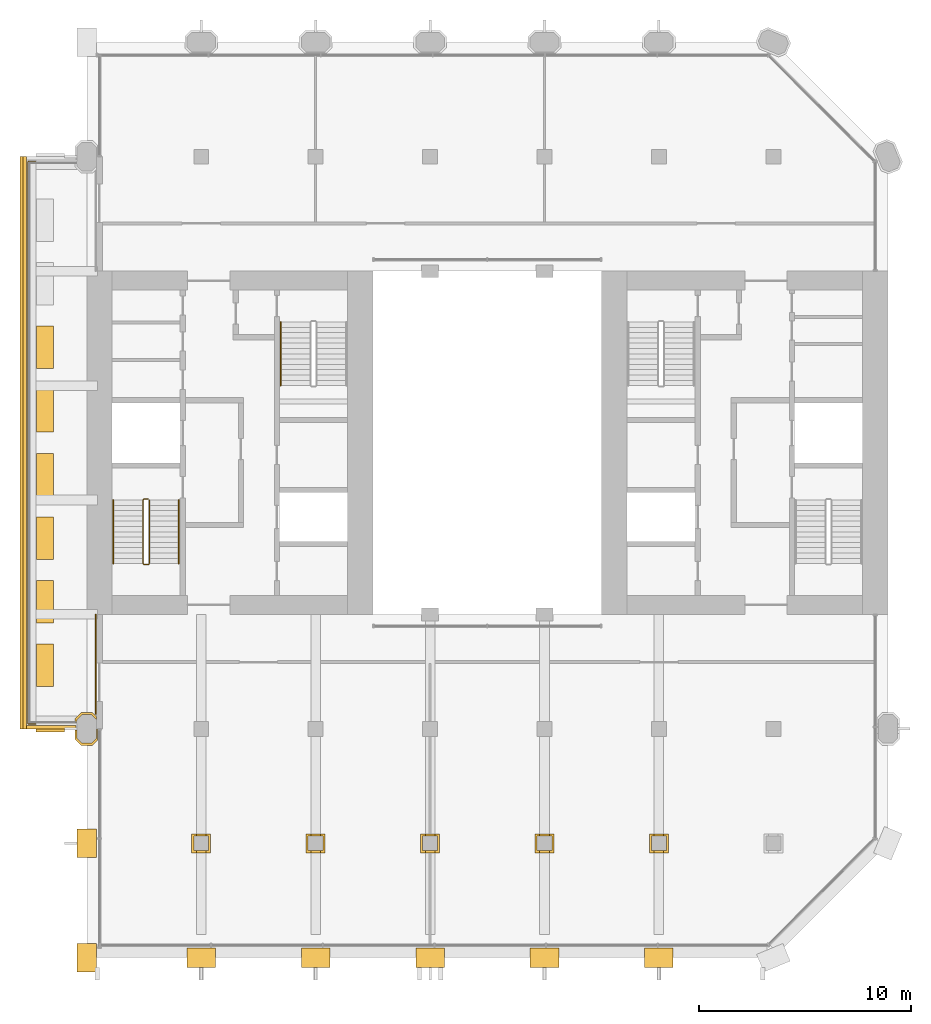
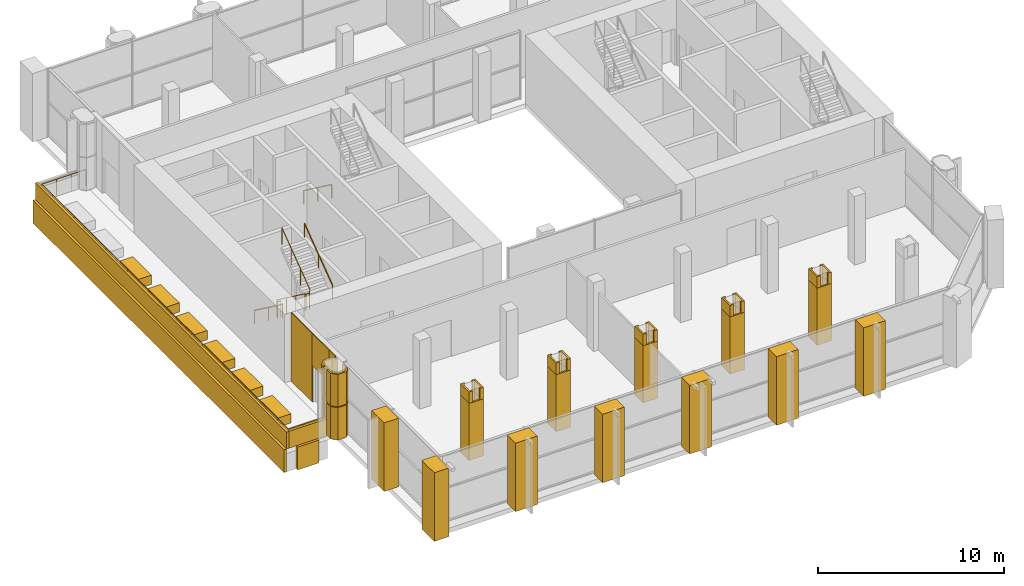
# One storey, part 12 of 14: 39 coverings, 5 railings.
"""IFC4 building model written with IfcOpenShell, lengths in metres."""

from ifc_helpers import new_model, si_unit, direction, frame, frame_2d, origin, origin_2d, place, context, subcontext, project, spatial, polyline, rectangle, circle, outline, extrude, material, layer, layer_set, type_object, element, save


model = new_model("IFC4")

# Units and contexts
model_context = context("Model", 3, precision=1e-05, world=origin(), true_north=direction((0.0, 1.0)))
body_context = subcontext(model_context, "Body", "Model", "MODEL_VIEW")
ifc_project = project(units=[si_unit("LENGTHUNIT", "METRE"), si_unit("AREAUNIT", "SQUARE_METRE"), si_unit("VOLUMEUNIT", "CUBIC_METRE"), si_unit("PLANEANGLEUNIT", "RADIAN"), si_unit("MASSUNIT", "GRAM", prefix="KILO")], contexts=[model_context])

# Site, building, storey
site_placement = place(None, origin())
site = spatial("IfcSite", under=ifc_project, at=site_placement, CompositionType="ELEMENT")
building_placement = place(site_placement, origin())
building = spatial("IfcBuilding", under=site, at=building_placement, Name="Tabaq Tower and Sports Hall", CompositionType="ELEMENT")
storey_placement = place(building_placement, frame((0.0, 0.0, 260.5)))
storey = spatial("IfcBuildingStorey", under=building, at=storey_placement, Name="L63", CompositionType="ELEMENT", Elevation=260.5)

# Coverings
ifc_material_1 = material(Name="Precast concrete C60/75", Category="concrete")
ifc_layer_1 = layer(ifc_material_1, 0.10009765625)
ifc_layer_set_1 = layer_set([ifc_layer_1], Name="Column cladding 100")
covering_type_1 = type_object("IfcCoveringType", Name="Column cladding 100", PredefinedType="CLADDING", material=ifc_layer_set_1)
covering_1_placement = place(storey_placement, frame((0.0, 0.0, 0.10009765625)))
element("IfcCovering", 1, at=covering_1_placement, inside=storey, type_object=covering_type_1, Name="Column cladding L63 PC-2C-S2", PredefinedType="CLADDING", context=body_context, shape_type="SweptSolid", body=[
    extrude(outline(polyline([(5.1337890625, 10.025390625), (4.850341796875, 10.30859375), (4.850341796875, 10.73974609375), (4.94970703125, 10.73974609375), (4.94970703125, 10.349853515625), (5.1748046875, 10.124755859375), (5.625244140625, 10.124755859375), (5.850341796875, 10.349853515625), (5.850341796875, 10.7998046875), (5.90966796875, 10.7998046875), (5.90966796875, 10.268798828125), (5.666259765625, 10.025390625), (5.1337890625, 10.025390625)])), origin(), (0.0, 0.0, 1.0), 2.119873046875),
])
covering_2_placement = place(storey_placement, frame((0.0, 0.0, 0.10009765625)))
element("IfcCovering", 2, at=covering_2_placement, inside=storey, type_object=covering_type_1, Name="Column cladding L63 PC-2C-S2 2", PredefinedType="CLADDING", context=body_context, shape_type="SweptSolid", body=[
    extrude(outline(polyline([(4.850341796875, 11.291259765625), (5.1337890625, 11.57470703125), (5.666259765625, 11.57470703125), (5.849609375, 11.391357421875), (5.849609375, 11.250732421875), (5.625244140625, 11.475341796875), (5.1748046875, 11.475341796875), (4.94970703125, 11.250244140625), (4.94970703125, 11.09033203125), (4.900390625, 11.09033203125), (4.900390625, 11.1103515625), (4.850341796875, 11.1103515625), (4.850341796875, 11.291259765625)])), origin(), (0.0, 0.0, 1.0), 2.119873046875),
])
covering_3_placement = place(storey_placement, frame((0.0, 0.0, 2.280029296875)))
element("IfcCovering", 3, at=covering_3_placement, inside=storey, type_object=covering_type_1, Name="Column cladding L63 PC-2C-S2 2", PredefinedType="CLADDING", context=body_context, shape_type="SweptSolid", body=[
    extrude(outline(polyline([(5.1337890625, 10.025390625), (4.850341796875, 10.30859375), (4.850341796875, 10.73974609375), (4.94970703125, 10.73974609375), (4.94970703125, 10.349853515625), (5.1748046875, 10.124755859375), (5.625244140625, 10.124755859375), (5.850341796875, 10.349853515625), (5.850341796875, 10.7998046875), (5.90966796875, 10.7998046875), (5.90966796875, 10.268798828125), (5.666259765625, 10.025390625), (5.1337890625, 10.025390625)])), origin(), (0.0, 0.0, 1.0), 2.119873046875),
])
covering_4_placement = place(storey_placement, frame((0.0, 0.0, 2.280029296875)))
element("IfcCovering", 4, at=covering_4_placement, inside=storey, type_object=covering_type_1, Name="Column cladding L63 PC-2C-S2 2 2", PredefinedType="CLADDING", context=body_context, shape_type="SweptSolid", body=[
    extrude(outline(polyline([(4.850341796875, 11.291259765625), (5.1337890625, 11.57470703125), (5.666259765625, 11.57470703125), (5.849609375, 11.391357421875), (5.849609375, 11.250732421875), (5.625244140625, 11.475341796875), (5.1748046875, 11.475341796875), (4.94970703125, 11.250244140625), (4.94970703125, 11.09033203125), (4.900390625, 11.09033203125), (4.900390625, 11.1103515625), (4.850341796875, 11.1103515625), (4.850341796875, 11.291259765625)])), origin(), (0.0, 0.0, 1.0), 2.119873046875),
])
covering_5_placement = place(storey_placement, origin())
element("IfcCovering", 5, at=covering_5_placement, inside=storey, type_object=covering_type_1, Name="Column cladding L63 CC-3B-S2", PredefinedType="CLADDING", context=body_context, shape_type="SweptSolid", body=[
    extrude(outline(polyline([(10.350341796875, 5.849609375), (11.249755859375, 5.849609375), (11.249755859375, 4.9501953125), (10.350341796875, 4.9501953125), (10.350341796875, 5.849609375)]), holes=[polyline([(11.150390625, 5.0498046875), (11.150390625, 5.750244140625), (10.44970703125, 5.750244140625), (10.44970703125, 5.0498046875), (11.150390625, 5.0498046875)])]), origin(), (0.0, 0.0, 1.0), 3.75),
])
covering_6_placement = place(storey_placement, frame((0.0, 0.0, 3.75)))
element("IfcCovering", 6, at=covering_6_placement, inside=storey, type_object=covering_type_1, Name="Column cladding L63 CC-3B-S2 head", PredefinedType="CLADDING", context=body_context, shape_type="SweptSolid", body=[
    extrude(outline(polyline([(10.574462890625, 5.04931640625), (10.574462890625, 4.95068359375), (10.3505859375, 4.95068359375), (10.3505859375, 5.849365234375), (10.574462890625, 5.849365234375), (10.574462890625, 5.75048828125), (10.449462890625, 5.75048828125), (10.449462890625, 5.04931640625), (10.574462890625, 5.04931640625)])), origin(), (0.0, 0.0, 1.0), 0.75),
])
covering_7_placement = place(storey_placement, frame((0.0, 0.0, 3.75)))
element("IfcCovering", 7, at=covering_7_placement, inside=storey, type_object=covering_type_1, Name="Column cladding L63 CC-3B-S2 head 2", PredefinedType="CLADDING", context=body_context, shape_type="SweptSolid", body=[
    extrude(outline(polyline([(11.025634765625, 5.04931640625), (11.150634765625, 5.04931640625), (11.150634765625, 5.75048828125), (11.025634765625, 5.75048828125), (11.025634765625, 5.849365234375), (11.24951171875, 5.849365234375), (11.24951171875, 4.95068359375), (11.025634765625, 4.95068359375), (11.025634765625, 5.04931640625)])), origin(), (0.0, 0.0, 1.0), 0.75),
])
covering_8_placement = place(storey_placement, origin())
element("IfcCovering", 8, at=covering_8_placement, inside=storey, type_object=covering_type_1, Name="Column cladding L63 CC-4B-S2", PredefinedType="CLADDING", context=body_context, shape_type="SweptSolid", body=[
    extrude(outline(polyline([(15.750244140625, 5.849609375), (16.649658203125, 5.849609375), (16.649658203125, 4.9501953125), (15.750244140625, 4.9501953125), (15.750244140625, 5.849609375)]), holes=[polyline([(16.55029296875, 5.0498046875), (16.55029296875, 5.750244140625), (15.849609375, 5.750244140625), (15.849609375, 5.0498046875), (16.55029296875, 5.0498046875)])]), origin(), (0.0, 0.0, 1.0), 3.75),
])
covering_9_placement = place(storey_placement, frame((0.0, 0.0, 3.75)))
element("IfcCovering", 9, at=covering_9_placement, inside=storey, type_object=covering_type_1, Name="Column cladding L63 CC-4B-S2 head", PredefinedType="CLADDING", context=body_context, shape_type="SweptSolid", body=[
    extrude(outline(polyline([(16.425537109375, 5.04931640625), (16.550537109375, 5.04931640625), (16.550537109375, 5.75048828125), (16.425537109375, 5.75048828125), (16.425537109375, 5.849365234375), (16.6494140625, 5.849365234375), (16.6494140625, 4.95068359375), (16.425537109375, 4.95068359375), (16.425537109375, 5.04931640625)])), origin(), (0.0, 0.0, 1.0), 0.75),
])
covering_10_placement = place(storey_placement, frame((0.0, 0.0, 3.75)))
element("IfcCovering", 10, at=covering_10_placement, inside=storey, type_object=covering_type_1, Name="Column cladding L63 CC-4B-S2 head 2", PredefinedType="CLADDING", context=body_context, shape_type="SweptSolid", body=[
    extrude(outline(polyline([(15.974365234375, 5.04931640625), (15.974365234375, 4.95068359375), (15.75048828125, 4.95068359375), (15.75048828125, 5.849365234375), (15.974365234375, 5.849365234375), (15.974365234375, 5.75048828125), (15.849365234375, 5.75048828125), (15.849365234375, 5.04931640625), (15.974365234375, 5.04931640625)])), origin(), (0.0, 0.0, 1.0), 0.75),
])
covering_11_placement = place(storey_placement, origin())
element("IfcCovering", 11, at=covering_11_placement, inside=storey, type_object=covering_type_1, Name="Column cladding L63 CC-5B-S2", PredefinedType="CLADDING", context=body_context, shape_type="SweptSolid", body=[
    extrude(outline(polyline([(21.150390625, 5.849609375), (22.0498046875, 5.849609375), (22.0498046875, 4.9501953125), (21.150390625, 4.9501953125), (21.150390625, 5.849609375)]), holes=[polyline([(21.9501953125, 5.0498046875), (21.9501953125, 5.750244140625), (21.249755859375, 5.750244140625), (21.249755859375, 5.0498046875), (21.9501953125, 5.0498046875)])]), origin(), (0.0, 0.0, 1.0), 3.75),
])
covering_12_placement = place(storey_placement, frame((0.0, 0.0, 3.75)))
element("IfcCovering", 12, at=covering_12_placement, inside=storey, type_object=covering_type_1, Name="Column cladding L63 CC-5B-S2 head", PredefinedType="CLADDING", context=body_context, shape_type="SweptSolid", body=[
    extrude(outline(polyline([(21.37451171875, 5.04931640625), (21.37451171875, 4.95068359375), (21.150634765625, 4.95068359375), (21.150634765625, 5.849365234375), (21.37451171875, 5.849365234375), (21.37451171875, 5.75048828125), (21.24951171875, 5.75048828125), (21.24951171875, 5.04931640625), (21.37451171875, 5.04931640625)])), origin(), (0.0, 0.0, 1.0), 0.75),
])
covering_13_placement = place(storey_placement, frame((0.0, 0.0, 3.75)))
element("IfcCovering", 13, at=covering_13_placement, inside=storey, type_object=covering_type_1, Name="Column cladding L63 CC-5B-S2 head 2", PredefinedType="CLADDING", context=body_context, shape_type="SweptSolid", body=[
    extrude(outline(polyline([(21.82568359375, 5.04931640625), (21.95068359375, 5.04931640625), (21.95068359375, 5.75048828125), (21.82568359375, 5.75048828125), (21.82568359375, 5.849365234375), (22.04931640625, 5.849365234375), (22.04931640625, 4.95068359375), (21.82568359375, 4.95068359375), (21.82568359375, 5.04931640625)])), origin(), (0.0, 0.0, 1.0), 0.75),
])
covering_14_placement = place(storey_placement, origin())
element("IfcCovering", 14, at=covering_14_placement, inside=storey, type_object=covering_type_1, Name="Column cladding L63 CC-6B-S2", PredefinedType="CLADDING", context=body_context, shape_type="SweptSolid", body=[
    extrude(outline(polyline([(26.55029296875, 5.849609375), (27.44970703125, 5.849609375), (27.44970703125, 4.9501953125), (26.55029296875, 4.9501953125), (26.55029296875, 5.849609375)]), holes=[polyline([(27.350341796875, 5.0498046875), (27.350341796875, 5.750244140625), (26.649658203125, 5.750244140625), (26.649658203125, 5.0498046875), (27.350341796875, 5.0498046875)])]), origin(), (0.0, 0.0, 1.0), 3.75),
])
covering_15_placement = place(storey_placement, frame((0.0, 0.0, 3.75)))
element("IfcCovering", 15, at=covering_15_placement, inside=storey, type_object=covering_type_1, Name="Column cladding L63 CC-6B-S2 head", PredefinedType="CLADDING", context=body_context, shape_type="SweptSolid", body=[
    extrude(outline(polyline([(26.7744140625, 5.04931640625), (26.7744140625, 4.95068359375), (26.550537109375, 4.95068359375), (26.550537109375, 5.849365234375), (26.7744140625, 5.849365234375), (26.7744140625, 5.75048828125), (26.6494140625, 5.75048828125), (26.6494140625, 5.04931640625), (26.7744140625, 5.04931640625)])), origin(), (0.0, 0.0, 1.0), 0.75),
])
covering_16_placement = place(storey_placement, frame((0.0, 0.0, 3.75)))
element("IfcCovering", 16, at=covering_16_placement, inside=storey, type_object=covering_type_1, Name="Column cladding L63 CC-6B-S2 head 2", PredefinedType="CLADDING", context=body_context, shape_type="SweptSolid", body=[
    extrude(outline(polyline([(27.2255859375, 5.04931640625), (27.3505859375, 5.04931640625), (27.3505859375, 5.75048828125), (27.2255859375, 5.75048828125), (27.2255859375, 5.849365234375), (27.449462890625, 5.849365234375), (27.449462890625, 4.95068359375), (27.2255859375, 4.95068359375), (27.2255859375, 5.04931640625)])), origin(), (0.0, 0.0, 1.0), 0.75),
])
covering_17_placement = place(storey_placement, origin())
element("IfcCovering", 17, at=covering_17_placement, inside=storey, type_object=covering_type_1, Name="Column cladding L63 CC-7B-S2", PredefinedType="CLADDING", context=body_context, shape_type="SweptSolid", body=[
    extrude(outline(polyline([(31.9501953125, 5.849609375), (32.849609375, 5.849609375), (32.849609375, 4.9501953125), (31.9501953125, 4.9501953125), (31.9501953125, 5.849609375)]), holes=[polyline([(32.750244140625, 5.0498046875), (32.750244140625, 5.750244140625), (32.0498046875, 5.750244140625), (32.0498046875, 5.0498046875), (32.750244140625, 5.0498046875)])]), origin(), (0.0, 0.0, 1.0), 3.75),
])
covering_18_placement = place(storey_placement, frame((0.0, 0.0, 3.75)))
element("IfcCovering", 18, at=covering_18_placement, inside=storey, type_object=covering_type_1, Name="Column cladding L63 CC-7B-S2 head", PredefinedType="CLADDING", context=body_context, shape_type="SweptSolid", body=[
    extrude(outline(polyline([(32.62548828125, 5.04931640625), (32.75048828125, 5.04931640625), (32.75048828125, 5.75048828125), (32.62548828125, 5.75048828125), (32.62548828125, 5.849365234375), (32.849365234375, 5.849365234375), (32.849365234375, 4.95068359375), (32.62548828125, 4.95068359375), (32.62548828125, 5.04931640625)])), origin(), (0.0, 0.0, 1.0), 0.75),
])
covering_19_placement = place(storey_placement, frame((0.0, 0.0, 3.75)))
element("IfcCovering", 19, at=covering_19_placement, inside=storey, type_object=covering_type_1, Name="Column cladding L63 CC-7B-S2 head 2", PredefinedType="CLADDING", context=body_context, shape_type="SweptSolid", body=[
    extrude(outline(polyline([(32.17431640625, 5.04931640625), (32.17431640625, 4.95068359375), (31.95068359375, 4.95068359375), (31.95068359375, 5.849365234375), (32.17431640625, 5.849365234375), (32.17431640625, 5.75048828125), (32.04931640625, 5.75048828125), (32.04931640625, 5.04931640625), (32.17431640625, 5.04931640625)])), origin(), (0.0, 0.0, 1.0), 0.75),
])

# Railing
ifc_material_2 = material(Name="Stainless steel S316 and laminated glass", Category="steel")
railing_type_1 = type_object("IfcRailingType", Name="Guard 1100 steel and glass", PredefinedType="GUARDRAIL", material=ifc_material_2)
railing_1_placement = place(storey_placement, frame((5.39990234375, 37.550048828125, 0.0)))
element("IfcRailing", 20, at=railing_1_placement, inside=storey, type_object=railing_type_1, Name="Tray guard L63", PredefinedType="GUARDRAIL", context=body_context, shape_type="SweptSolid", body=[
    extrude(circle(Radius=0.02490234375, at=origin_2d()), frame((0.0, 0.0, 1.0751953125), z_axis=(-1.0, 0.0, 0.0), x_axis=(0.0, -1.0, 0.0)), (0.0, 0.0, 1.0), 2.75),
    extrude(circle(Radius=0.02490234375, at=origin_2d()), frame((-2.75, 0.0, 1.0751953125), z_axis=(0.0, -1.0, 0.0), x_axis=(1.0, 0.0, 0.0)), (0.0, 0.0, 1.0), 26.5),
    extrude(circle(Radius=0.02490234375, at=origin_2d()), frame((-2.75, -26.5, 1.0751953125), z_axis=(1.0, 0.0, 0.0), x_axis=(0.0, 1.0, 0.0)), (0.0, 0.0, 1.0), 2.75),
    extrude(circle(Radius=0.02001953125, at=origin_2d()), origin(), (0.0, 0.0, 1.0), 1.050048828125),
    extrude(circle(Radius=0.02001953125, at=origin_2d()), frame((-0.916748046875, 0.0, 0.0)), (0.0, 0.0, 1.0), 1.050048828125),
    extrude(circle(Radius=0.02001953125, at=origin_2d()), frame((-1.833251953125, 0.0, 0.0)), (0.0, 0.0, 1.0), 1.050048828125),
    extrude(circle(Radius=0.02001953125, at=origin_2d()), frame((-2.75, 0.0, 0.0)), (0.0, 0.0, 1.0), 1.050048828125),
    extrude(circle(Radius=0.02001953125, at=origin_2d()), frame((-2.75, -1.152099609375, 0.0)), (0.0, 0.0, 1.0), 1.050048828125),
    extrude(circle(Radius=0.02001953125, at=origin_2d()), frame((-2.75, -2.304443359375, 0.0)), (0.0, 0.0, 1.0), 1.050048828125),
    extrude(circle(Radius=0.02001953125, at=origin_2d()), frame((-2.75, -3.45654296875, 0.0)), (0.0, 0.0, 1.0), 1.050048828125),
    extrude(circle(Radius=0.02001953125, at=origin_2d()), frame((-2.75, -4.608642578125, 0.0)), (0.0, 0.0, 1.0), 1.050048828125),
    extrude(circle(Radius=0.02001953125, at=origin_2d()), frame((-2.75, -5.760986328125, 0.0)), (0.0, 0.0, 1.0), 1.050048828125),
    extrude(circle(Radius=0.02001953125, at=origin_2d()), frame((-2.75, -6.9130859375, 0.0)), (0.0, 0.0, 1.0), 1.050048828125),
    extrude(circle(Radius=0.02001953125, at=origin_2d()), frame((-2.75, -8.065185546875, 0.0)), (0.0, 0.0, 1.0), 1.050048828125),
    extrude(circle(Radius=0.02001953125, at=origin_2d()), frame((-2.75, -9.21728515625, 0.0)), (0.0, 0.0, 1.0), 1.050048828125),
    extrude(circle(Radius=0.02001953125, at=origin_2d()), frame((-2.75, -10.36962890625, 0.0)), (0.0, 0.0, 1.0), 1.050048828125),
    extrude(circle(Radius=0.02001953125, at=origin_2d()), frame((-2.75, -11.521728515625, 0.0)), (0.0, 0.0, 1.0), 1.050048828125),
    extrude(circle(Radius=0.02001953125, at=origin_2d()), frame((-2.75, -12.673828125, 0.0)), (0.0, 0.0, 1.0), 1.050048828125),
    extrude(circle(Radius=0.02001953125, at=origin_2d()), frame((-2.75, -13.826171875, 0.0)), (0.0, 0.0, 1.0), 1.050048828125),
    extrude(circle(Radius=0.02001953125, at=origin_2d()), frame((-2.75, -14.978271484375, 0.0)), (0.0, 0.0, 1.0), 1.050048828125),
    extrude(circle(Radius=0.02001953125, at=origin_2d()), frame((-2.75, -16.13037109375, 0.0)), (0.0, 0.0, 1.0), 1.050048828125),
    extrude(circle(Radius=0.02001953125, at=origin_2d()), frame((-2.75, -17.28271484375, 0.0)), (0.0, 0.0, 1.0), 1.050048828125),
    extrude(circle(Radius=0.02001953125, at=origin_2d()), frame((-2.75, -18.434814453125, 0.0)), (0.0, 0.0, 1.0), 1.050048828125),
    extrude(circle(Radius=0.02001953125, at=origin_2d()), frame((-2.75, -19.5869140625, 0.0)), (0.0, 0.0, 1.0), 1.050048828125),
    extrude(circle(Radius=0.02001953125, at=origin_2d()), frame((-2.75, -20.739013671875, 0.0)), (0.0, 0.0, 1.0), 1.050048828125),
    extrude(circle(Radius=0.02001953125, at=origin_2d()), frame((-2.75, -21.891357421875, 0.0)), (0.0, 0.0, 1.0), 1.050048828125),
    extrude(circle(Radius=0.02001953125, at=origin_2d()), frame((-2.75, -23.04345703125, 0.0)), (0.0, 0.0, 1.0), 1.050048828125),
    extrude(circle(Radius=0.02001953125, at=origin_2d()), frame((-2.75, -24.195556640625, 0.0)), (0.0, 0.0, 1.0), 1.050048828125),
    extrude(circle(Radius=0.02001953125, at=origin_2d()), frame((-2.75, -25.347900390625, 0.0)), (0.0, 0.0, 1.0), 1.050048828125),
    extrude(circle(Radius=0.02001953125, at=origin_2d()), frame((-2.75, -26.5, 0.0)), (0.0, 0.0, 1.0), 1.050048828125),
    extrude(circle(Radius=0.02001953125, at=origin_2d()), frame((-1.833251953125, -26.5, 0.0)), (0.0, 0.0, 1.0), 1.050048828125),
    extrude(circle(Radius=0.02001953125, at=origin_2d()), frame((-0.916748046875, -26.5, 0.0)), (0.0, 0.0, 1.0), 1.050048828125),
    extrude(circle(Radius=0.02001953125, at=origin_2d()), frame((0.0, -26.5, 0.0)), (0.0, 0.0, 1.0), 1.050048828125),
])

# Coverings
ifc_material_3 = material(Name="White precast concrete C60/75", Category="concrete")
covering_type_2 = type_object("IfcCoveringType", Name="Pier cladding hung 1350x900", PredefinedType="CLADDING", material=ifc_material_3)
covering_20_placement = place(storey_placement, frame((5.39990234375, 0.675048828125, 0.0), z_axis=(0.0, 0.0, 1.0), x_axis=(0.0, -1.0, 0.0)))
element("IfcCovering", 21, at=covering_20_placement, inside=storey, type_object=covering_type_2, Name="Hung pier cladding 1/0", PredefinedType="CLADDING", context=body_context, shape_type="SweptSolid", body=[
    extrude(rectangle(XDim=1.35009765625, YDim=0.89990234375, at=frame_2d((0.675048828125, 0.0))), origin(), (0.0, 0.0, 1.0), 4.5),
])
covering_21_placement = place(storey_placement, frame((5.39990234375, 6.074951171875, 0.0), z_axis=(0.0, 0.0, 1.0), x_axis=(0.0, -1.0, 0.0)))
element("IfcCovering", 22, at=covering_21_placement, inside=storey, type_object=covering_type_2, Name="Hung pier cladding 1/1", PredefinedType="CLADDING", context=body_context, shape_type="SweptSolid", body=[
    extrude(rectangle(XDim=1.349853515625, YDim=0.89990234375, at=frame_2d((0.6748046875, 0.0))), origin(), (0.0, 0.0, 1.0), 4.5),
])
for number, where, z_axis, x_axis, name in (
    (23, (10.125, 0.0, 0.0), (0.0, 0.0, 1.0), (1.0, 0.0, 0.0), "Hung pier cladding 2/0"),
    (24, (15.52490234375, 0.0, 0.0), (0.0, 0.0, 1.0), (1.0, 0.0, 0.0), "Hung pier cladding 3/0"),
):
    element("IfcCovering", number, at=place(storey_placement, frame(where, z_axis=z_axis, x_axis=x_axis)), inside=storey, type_object=covering_type_2, Name=name, PredefinedType="CLADDING", context=body_context, shape_type="SweptSolid", body=[
        extrude(rectangle(XDim=1.35009765625, YDim=0.89990234375, at=frame_2d((0.675048828125, 0.0))), origin(), (0.0, 0.0, 1.0), 4.5),
    ])
covering_22_placement = place(storey_placement, frame((20.925048828125, 0.0, 0.0), z_axis=(0.0, 0.0, 1.0), x_axis=(1.0, 0.0, 0.0)))
element("IfcCovering", 25, at=covering_22_placement, inside=storey, type_object=covering_type_2, Name="Hung pier cladding 4/0", PredefinedType="CLADDING", context=body_context, shape_type="SweptSolid", body=[
    extrude(rectangle(XDim=1.349853515625, YDim=0.89990234375, at=frame_2d((0.6748046875, 0.0))), origin(), (0.0, 0.0, 1.0), 4.5),
])
covering_23_placement = place(storey_placement, frame((26.324951171875, 0.0, 0.0), z_axis=(0.0, 0.0, 1.0), x_axis=(1.0, 0.0, 0.0)))
element("IfcCovering", 26, at=covering_23_placement, inside=storey, type_object=covering_type_2, Name="Hung pier cladding 5/0", PredefinedType="CLADDING", context=body_context, shape_type="SweptSolid", body=[
    extrude(rectangle(XDim=1.35009765625, YDim=0.89990234375, at=frame_2d((0.675048828125, 0.0))), origin(), (0.0, 0.0, 1.0), 4.5),
])
covering_24_placement = place(storey_placement, frame((31.72509765625, 0.0, 0.0), z_axis=(0.0, 0.0, 1.0), x_axis=(1.0, 0.0, 0.0)))
element("IfcCovering", 27, at=covering_24_placement, inside=storey, type_object=covering_type_2, Name="Hung pier cladding 6/0", PredefinedType="CLADDING", context=body_context, shape_type="SweptSolid", body=[
    extrude(rectangle(XDim=1.349853515625, YDim=0.89990234375, at=frame_2d((0.6748046875, 0.0))), origin(), (0.0, 0.0, 1.0), 4.5),
])
ifc_material_4 = material(Name="Planting soil and drainage layer")
covering_type_3 = type_object("IfcCoveringType", Name="Planter 2000x800x600", PredefinedType="USERDEFINED", material=ifc_material_4)
for number, where, z_axis, x_axis, name in (
    (28, (3.429931640625, 28.800048828125, 0.0), (0.0, 0.0, 1.0), (0.0, -1.0, 0.0), "Planter L63"),
    (29, (3.429931640625, 25.800048828125, 0.0), (0.0, 0.0, 1.0), (0.0, -1.0, 0.0), "Planter L63"),
    (30, (3.429931640625, 22.800048828125, 0.0), (0.0, 0.0, 1.0), (0.0, -1.0, 0.0), "Planter L63"),
    (31, (3.429931640625, 19.800048828125, 0.0), (0.0, 0.0, 1.0), (0.0, -1.0, 0.0), "Planter L63"),
    (32, (3.429931640625, 16.800048828125, 0.0), (0.0, 0.0, 1.0), (0.0, -1.0, 0.0), "Planter L63"),
    (33, (3.429931640625, 13.800048828125, 0.0), (0.0, 0.0, 1.0), (0.0, -1.0, 0.0), "Planter L63"),
):
    element("IfcCovering", number, at=place(storey_placement, frame(where, z_axis=z_axis, x_axis=x_axis)), inside=storey, type_object=covering_type_3, Name=name, ObjectType="PLANTER", PredefinedType="USERDEFINED", context=body_context, shape_type="SweptSolid", body=[
        extrude(rectangle(XDim=2.0, YDim=0.800048828125, at=origin_2d()), origin(), (0.0, 0.0, 1.0), 0.60009765625),
    ])

# Railings
ifc_material_5 = material(Name="Stainless steel", Category="steel")
railing_type_2 = type_object("IfcRailingType", Name="Stair guard", PredefinedType="GUARDRAIL", material=ifc_material_5)
railing_2_placement = place(storey_placement, frame((8.300048828125, 21.64990234375, 0.0)))
element("IfcRailing", 34, at=railing_2_placement, inside=storey, type_object=railing_type_2, Name="L63 ST1 stair guard 1", PredefinedType="GUARDRAIL", context=body_context, shape_type="SweptSolid", body=[
    extrude(circle(Radius=0.02392578125, at=origin_2d()), frame((0.0, 0.0, 1.076171875), z_axis=(-1.0, 0.0, 0.0), x_axis=(0.0, -1.0, 0.0)), (0.0, 0.0, 1.0), 0.199951171875),
    extrude(circle(Radius=0.02392578125, at=origin_2d()), frame((-0.199951171875, 0.0, 1.076171875), z_axis=(-0.253264628505, -0.252029191293, 0.933990532438), x_axis=(0.705375805398, -0.708833529934, 0.0)), (0.0, 0.0, 1.0), 0.197509765625),
    extrude(circle(Radius=0.02392578125, at=origin_2d()), frame((-0.25, -0.0498046875, 1.2607421875), z_axis=(0.0, -0.804440004972, 0.594033903411), x_axis=(1.0, 0.0, 0.0)), (0.0, 0.0, 1.0), 3.729248046875),
    extrude(circle(Radius=0.02392578125, at=origin_2d()), frame((-0.25, -3.0498046875, 3.47607421875), z_axis=(0.707106781187, -0.707106781187, 0.0), x_axis=(0.707106781187, 0.707106781187, 0.0)), (0.0, 0.0, 1.0), 0.07080078125),
    extrude(circle(Radius=0.02392578125, at=origin_2d()), frame((-0.199951171875, -3.099853515625, 3.47607421875), z_axis=(1.0, 0.0, 0.0), x_axis=(0.0, 1.0, 0.0)), (0.0, 0.0, 1.0), 0.199951171875),
    extrude(circle(Radius=0.02392578125, at=origin_2d()), frame((0.0, -3.099853515625, 3.47607421875), z_axis=(0.252893960547, 0.252893960547, 0.933857210411), x_axis=(-0.707106781187, 0.707106781187, 0.0)), (0.0, 0.0, 1.0), 0.197998046875),
    extrude(circle(Radius=0.02392578125, at=origin_2d()), frame((0.050048828125, -3.0498046875, 3.66064453125), z_axis=(0.0, 0.804440004972, 0.594033903411), x_axis=(-1.0, 0.0, 0.0)), (0.0, 0.0, 1.0), 3.729248046875),
    extrude(circle(Radius=0.02099609375, at=origin_2d()), origin(), (0.0, 0.0, 1.0), 1.052001953125),
    extrude(circle(Radius=0.02099609375, at=origin_2d()), frame((-0.199951171875, 0.0, 0.0)), (0.0, 0.0, 1.0), 1.052001953125),
    extrude(circle(Radius=0.02099609375, at=origin_2d()), frame((-0.25, -0.0498046875, 0.1845703125)), (0.0, 0.0, 1.0), 1.052001953125),
    extrude(circle(Radius=0.02099609375, at=origin_2d()), frame((-0.25, -1.0498046875, 0.923095703125)), (0.0, 0.0, 1.0), 1.052001953125),
    extrude(circle(Radius=0.02099609375, at=origin_2d()), frame((-0.25, -2.0498046875, 1.661376953125)), (0.0, 0.0, 1.0), 1.052001953125),
    extrude(circle(Radius=0.02099609375, at=origin_2d()), frame((-0.25, -3.0498046875, 2.39990234375)), (0.0, 0.0, 1.0), 1.052001953125),
    extrude(circle(Radius=0.02099609375, at=origin_2d()), frame((-0.199951171875, -3.099853515625, 2.39990234375)), (0.0, 0.0, 1.0), 1.052001953125),
    extrude(circle(Radius=0.02099609375, at=origin_2d()), frame((0.0, -3.099853515625, 2.39990234375)), (0.0, 0.0, 1.0), 1.052001953125),
    extrude(circle(Radius=0.02099609375, at=origin_2d()), frame((0.050048828125, -3.0498046875, 2.584716796875)), (0.0, 0.0, 1.0), 1.052001953125),
    extrude(circle(Radius=0.02099609375, at=origin_2d()), frame((0.050048828125, -2.0498046875, 3.3232421875)), (0.0, 0.0, 1.0), 1.052001953125),
    extrude(circle(Radius=0.02099609375, at=origin_2d()), frame((0.050048828125, -1.0498046875, 4.0615234375)), (0.0, 0.0, 1.0), 1.052001953125),
    extrude(circle(Radius=0.02099609375, at=origin_2d()), frame((0.050048828125, -0.0498046875, 4.800048828125)), (0.0, 0.0, 1.0), 1.052001953125),
])
ifc_material_6 = material(Name="Stainless steel", Category="steel")
railing_type_3 = type_object("IfcRailingType", Name="Stair handrail", PredefinedType="HANDRAIL", material=ifc_material_6)
railing_3_placement = place(storey_placement, frame((6.64990234375, 21.60009765625, 0.1845703125)))
element("IfcRailing", 35, at=railing_3_placement, inside=storey, type_object=railing_type_3, Name="L63 ST1 stair handrail 1", PredefinedType="HANDRAIL", context=body_context, shape_type="SweptSolid", body=[
    extrude(circle(Radius=0.02392578125, at=origin_2d()), frame((0.0, 0.0, 0.8759765625), z_axis=(0.0, -0.804440004972, 0.594033903411), x_axis=(1.0, 0.0, 0.0)), (0.0, 0.0, 1.0), 3.729248046875),
    extrude(circle(Radius=0.02099609375, at=origin_2d()), origin(), (0.0, 0.0, 1.0), 0.851806640625),
    extrude(circle(Radius=0.02099609375, at=origin_2d()), frame((0.0, -1.5, 1.107666015625)), (0.0, 0.0, 1.0), 0.851806640625),
    extrude(circle(Radius=0.02099609375, at=origin_2d()), frame((0.0, -3.0, 2.21533203125)), (0.0, 0.0, 1.0), 0.851806640625),
])
railing_4_placement = place(storey_placement, frame((9.75, 18.60009765625, 2.584716796875)))
element("IfcRailing", 36, at=railing_4_placement, inside=storey, type_object=railing_type_3, Name="L63 ST1 stair handrail 2", PredefinedType="HANDRAIL", context=body_context, shape_type="SweptSolid", body=[
    extrude(circle(Radius=0.02392578125, at=origin_2d()), frame((0.0, 0.0, 0.8759765625), z_axis=(0.0, 0.804440004972, 0.594033903411), x_axis=(-1.0, 0.0, 0.0)), (0.0, 0.0, 1.0), 3.729248046875),
    extrude(circle(Radius=0.02099609375, at=origin_2d()), origin(), (0.0, 0.0, 1.0), 0.851806640625),
    extrude(circle(Radius=0.02099609375, at=origin_2d()), frame((0.0, 1.5, 1.107666015625)), (0.0, 0.0, 1.0), 0.851806640625),
    extrude(circle(Radius=0.02099609375, at=origin_2d()), frame((0.0, 3.0, 2.21533203125)), (0.0, 0.0, 1.0), 0.851806640625),
])
railing_5_placement = place(storey_placement, frame((14.550048828125, 30.0, 0.1845703125)))
element("IfcRailing", 37, at=railing_5_placement, inside=storey, type_object=railing_type_3, Name="L63 ST2 stair handrail 1", PredefinedType="HANDRAIL", context=body_context, shape_type="SweptSolid", body=[
    extrude(circle(Radius=0.02392578125, at=origin_2d()), frame((0.0, 0.0, 0.8759765625), z_axis=(0.0, -0.804440004972, 0.594033903411), x_axis=(1.0, 0.0, 0.0)), (0.0, 0.0, 1.0), 3.729248046875),
    extrude(circle(Radius=0.02099609375, at=origin_2d()), origin(), (0.0, 0.0, 1.0), 0.851806640625),
    extrude(circle(Radius=0.02099609375, at=origin_2d()), frame((0.0, -1.5, 1.107666015625)), (0.0, 0.0, 1.0), 0.851806640625),
    extrude(circle(Radius=0.02099609375, at=origin_2d()), frame((0.0, -3.0, 2.21533203125)), (0.0, 0.0, 1.0), 0.851806640625),
])

# Coverings
ifc_material_7 = material(Name="Precast concrete C60/75", Category="concrete")
ifc_layer_2 = layer(ifc_material_7, 0.14990234375)
ifc_layer_set_2 = layer_set([ifc_layer_2], Name="Tray fascia 1200")
covering_type_4 = type_object("IfcCoveringType", Name="Tray fascia 1200", PredefinedType="CLADDING", material=ifc_layer_set_2)
covering_25_placement = place(storey_placement, frame((4.340087890625, 10.72509765625, -1.5), z_axis=(0.0, 0.0, 1.0), x_axis=(-1.0, 0.0, 0.0)))
element("IfcCovering", 38, at=covering_25_placement, inside=storey, type_object=covering_type_4, Name="Tray fascia L63 EBT", PredefinedType="CLADDING", context=body_context, shape_type="SweptSolid", body=[
    extrude(rectangle(XDim=1.340087890625, YDim=0.14990234375, at=frame_2d((0.669921875, 0.0))), origin(), (0.0, 0.0, 1.0), 1.5),
])
covering_26_placement = place(storey_placement, frame((2.324951171875, 37.800048828125, -1.5), z_axis=(0.0, 0.0, 1.0), x_axis=(0.0, -1.0, 0.0)))
element("IfcCovering", 39, at=covering_26_placement, inside=storey, type_object=covering_type_4, Name="Tray fascia L63 EBT", PredefinedType="CLADDING", context=body_context, shape_type="SweptSolid", body=[
    extrude(rectangle(XDim=27.0, YDim=0.14990234375, at=frame_2d((13.5, 0.0))), origin(), (0.0, 0.0, 1.0), 1.5),
])
ifc_material_8 = material(Name="Precast concrete C60/75", Category="concrete")
ifc_layer_3 = layer(ifc_material_8, 0.14990234375)
ifc_layer_set_3 = layer_set([ifc_layer_3], Name="Tray upstand cladding 1100")
covering_type_5 = type_object("IfcCoveringType", Name="Tray upstand cladding 1100", PredefinedType="CLADDING", material=ifc_layer_set_3)
covering_27_placement = place(storey_placement, frame((2.47509765625, 37.800048828125, 0.0), z_axis=(0.0, 0.0, 1.0), x_axis=(0.0, -1.0, 0.0)))
element("IfcCovering", 40, at=covering_27_placement, inside=storey, type_object=covering_type_5, Name="Tray upstand cladding L63", PredefinedType="CLADDING", context=body_context, shape_type="SweptSolid", body=[
    extrude(rectangle(XDim=27.0, YDim=0.14990234375, at=frame_2d((13.5, 0.0))), origin(), (0.0, 0.0, 1.0), 1.10009765625),
])
covering_28_placement = place(storey_placement, frame((4.89990234375, 10.875, 0.0), z_axis=(0.0, 0.0, 1.0), x_axis=(-1.0, 0.0, 0.0)))
element("IfcCovering", 41, at=covering_28_placement, inside=storey, type_object=covering_type_5, Name="Tray upstand cladding L63", PredefinedType="CLADDING", context=body_context, shape_type="SweptSolid", body=[
    extrude(rectangle(XDim=2.349853515625, YDim=0.14990234375, at=frame_2d((1.1748046875, 0.0))), origin(), (0.0, 0.0, 1.0), 1.10009765625),
])
ifc_material_9 = material(Name="Precast concrete C60/75", Category="concrete")
ifc_layer_4 = layer(ifc_material_9, 0.06005859375)
ifc_layer_set_4 = layer_set([ifc_layer_4], Name="White precast cladding panel 60 C60/75")
covering_type_6 = type_object("IfcCoveringType", Name="White precast cladding panel 60 C60/75", PredefinedType="CLADDING", material=ifc_layer_set_4)
covering_29_placement = place(storey_placement, frame((5.820068359375, 16.199951171875, 0.0), z_axis=(0.0, 0.0, 1.0), x_axis=(0.0, -1.0, 0.0)))
element("IfcCovering", 42, at=covering_29_placement, inside=storey, type_object=covering_type_6, Name="White precast cladding panel L63 infill05-1-0", PredefinedType="CLADDING", context=body_context, shape_type="SweptSolid", body=[
    extrude(rectangle(XDim=2.2900390625, YDim=0.06005859375, at=frame_2d((1.14501953125, 0.0))), origin(), (0.0, 0.0, 1.0), 4.5),
])
covering_30_placement = place(storey_placement, frame((5.820068359375, 13.909912109375, 2.409912109375), z_axis=(0.0, 0.0, 1.0), x_axis=(0.0, -1.0, 0.0)))
element("IfcCovering", 43, at=covering_30_placement, inside=storey, type_object=covering_type_6, Name="White precast cladding panel L63 infill05-1-0 2", PredefinedType="CLADDING", context=body_context, shape_type="SweptSolid", body=[
    extrude(rectangle(XDim=1.81982421875, YDim=0.06005859375, at=frame_2d((0.909912109375, 0.0))), origin(), (0.0, 0.0, 1.0), 2.090087890625),
])
covering_31_placement = place(storey_placement, frame((5.820068359375, 12.090087890625, 0.0), z_axis=(0.0, 0.0, 1.0), x_axis=(0.0, -1.0, 0.0)))
element("IfcCovering", 44, at=covering_31_placement, inside=storey, type_object=covering_type_6, Name="White precast cladding panel L63 infill05-1-0 3", PredefinedType="CLADDING", context=body_context, shape_type="SweptSolid", body=[
    extrude(rectangle(XDim=0.60498046875, YDim=0.06005859375, at=frame_2d((0.302490234375, 0.0))), origin(), (0.0, 0.0, 1.0), 4.5),
])

save(model, "model.ifc")
